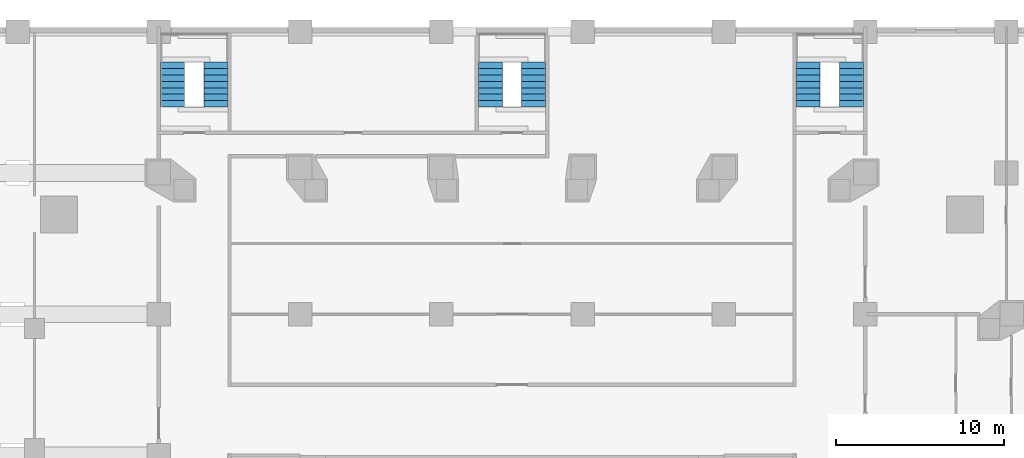
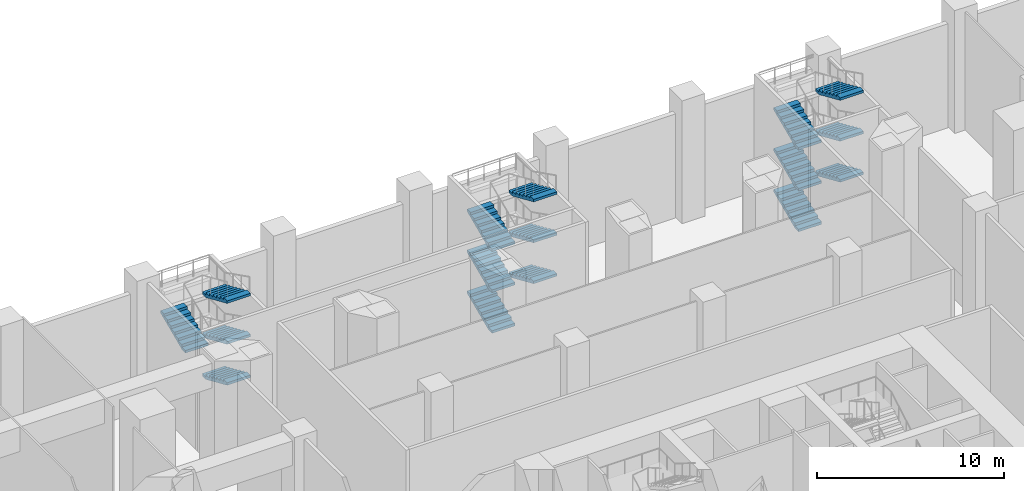
# One storey, part 12 of 19: 16 stair flights, 3 elements without a shape of their own.
"""IFC4 building model written with IfcOpenShell, lengths in metres."""

from ifc_helpers import new_model, si_unit, direction, frame, origin, place, context, subcontext, project, spatial, polyline, outline, extrude, material, type_object, element, aggregate, save


model = new_model("IFC4")

# Units and contexts
model_context = context("Model", 3, precision=1e-05, world=origin(), true_north=direction((0.0, 1.0)))
body_context = subcontext(model_context, "Body", "Model", "MODEL_VIEW")
ifc_project = project(units=[si_unit("LENGTHUNIT", "METRE"), si_unit("AREAUNIT", "SQUARE_METRE"), si_unit("VOLUMEUNIT", "CUBIC_METRE"), si_unit("PLANEANGLEUNIT", "RADIAN"), si_unit("MASSUNIT", "GRAM", prefix="KILO")], contexts=[model_context])

# Site, building, storey
site_placement = place(None, origin())
site = spatial("IfcSite", under=ifc_project, at=site_placement, CompositionType="ELEMENT")
building_placement = place(site_placement, origin())
building = spatial("IfcBuilding", under=site, at=building_placement, Name="Marenta Gate Hotel Tower", CompositionType="ELEMENT")
storey_placement = place(building_placement, frame((0.0, 0.0, 13.0)))
storey = spatial("IfcBuildingStorey", under=building, at=storey_placement, Name="L02", CompositionType="ELEMENT", Elevation=13.0)

# Stair, stair flights
ifc_material_1 = material(Name="Concrete C40", Category="concrete")
stair_type = type_object("IfcStairType", Name="Podium exit stair 1430 wide", PredefinedType="HALF_TURN_STAIR", material=ifc_material_1)
stair_1_placement = place(storey_placement, origin())
stair_1 = element("IfcStair", 1, at=stair_1_placement, inside=storey, type_object=stair_type, Name="Podium exit stair 3", PredefinedType="HALF_TURN_STAIR")
ifc_material_2 = material(Name="Concrete C40", Category="concrete")
stair_flight_type = type_object("IfcStairFlightType", Name="Podium stair flight 1430 riser 166.7 going 380", PredefinedType="STRAIGHT", material=ifc_material_2)
stair_flight_1_placement = place(storey_placement, frame((-17.614990234375, 40.18994140625, 1.333251953125), z_axis=(0.0, 0.0, 1.0), x_axis=(0.0, -1.0, 0.0)))
stair_flight_1 = element("IfcStairFlight", 2, at=stair_flight_1_placement, type_object=stair_flight_type, Name="PX3 flight 2", NumberOfRisers=8, NumberOfTreads=7, PredefinedType="STRAIGHT", RiserHeight=0.166667, TreadLength=0.38, context=body_context, shape_type="SweptSolid", body=[
    extrude(outline(polyline([(0.0, 0.0), (0.0, 0.166748046875), (0.3798828125, 0.166748046875), (0.3798828125, 0.333251953125), (0.760009765625, 0.333251953125), (0.760009765625, 0.5), (1.139892578125, 0.5), (1.139892578125, 0.666748046875), (1.52001953125, 0.666748046875), (1.52001953125, 0.833251953125), (1.89990234375, 0.833251953125), (1.89990234375, 1.0), (2.280029296875, 1.0), (2.280029296875, 1.166748046875), (2.659912109375, 1.166748046875), (2.659912109375, 1.333251953125), (2.659912109375, 1.0029296875), (0.373291015625, 0.0), (0.0, 0.0)])), frame((0.0, 0.71484375, 0.0), z_axis=(0.0, -1.0, 0.0), x_axis=(1.0, 0.0, 0.0)), (0.0, 0.0, 1.0), 1.429931640625),
])
stair_flight_2_placement = place(storey_placement, frame((-17.614990234375, 40.18994140625, 4.0), z_axis=(0.0, 0.0, 1.0), x_axis=(0.0, -1.0, 0.0)))
stair_flight_2 = element("IfcStairFlight", 3, at=stair_flight_2_placement, type_object=stair_flight_type, Name="PX3 flight 4", NumberOfRisers=8, NumberOfTreads=7, PredefinedType="STRAIGHT", RiserHeight=0.166667, TreadLength=0.38, context=body_context, shape_type="SweptSolid", body=[
    extrude(outline(polyline([(0.0, 0.0), (0.0, 0.166748046875), (0.3798828125, 0.166748046875), (0.3798828125, 0.333251953125), (0.760009765625, 0.333251953125), (0.760009765625, 0.5), (1.139892578125, 0.5), (1.139892578125, 0.666748046875), (1.52001953125, 0.666748046875), (1.52001953125, 0.833251953125), (1.89990234375, 0.833251953125), (1.89990234375, 1.0), (2.280029296875, 1.0), (2.280029296875, 1.166748046875), (2.659912109375, 1.166748046875), (2.659912109375, 1.333251953125), (2.659912109375, 1.0029296875), (0.373291015625, 0.0), (0.0, 0.0)])), frame((0.0, 0.71484375, 0.0), z_axis=(0.0, -1.0, 0.0), x_axis=(1.0, 0.0, 0.0)), (0.0, 0.0, 1.0), 1.429931640625),
])
stair_flight_3_placement = place(storey_placement, frame((-20.18505859375, 37.530029296875, 5.333251953125), z_axis=(0.0, 0.0, 1.0), x_axis=(0.0, 1.0, 0.0)))
stair_flight_3 = element("IfcStairFlight", 4, at=stair_flight_3_placement, type_object=stair_flight_type, Name="PX3 flight 5", NumberOfRisers=8, NumberOfTreads=7, PredefinedType="STRAIGHT", RiserHeight=0.166667, TreadLength=0.38, context=body_context, shape_type="SweptSolid", body=[
    extrude(outline(polyline([(0.0, 0.0), (0.0, 0.166748046875), (0.3798828125, 0.166748046875), (0.3798828125, 0.333251953125), (0.760009765625, 0.333251953125), (0.760009765625, 0.5), (1.139892578125, 0.5), (1.139892578125, 0.666748046875), (1.52001953125, 0.666748046875), (1.52001953125, 0.833251953125), (1.89990234375, 0.833251953125), (1.89990234375, 1.0), (2.280029296875, 1.0), (2.280029296875, 1.166748046875), (2.659912109375, 1.166748046875), (2.659912109375, 1.333251953125), (2.659912109375, 1.0029296875), (0.373291015625, 0.0), (0.0, 0.0)])), frame((0.0, 0.71484375, 0.0), z_axis=(0.0, -1.0, 0.0), x_axis=(1.0, 0.0, 0.0)), (0.0, 0.0, 1.0), 1.429931640625),
])
stair_flight_4_placement = place(storey_placement, frame((-17.614990234375, 40.18994140625, 6.666748046875), z_axis=(0.0, 0.0, 1.0), x_axis=(0.0, -1.0, 0.0)))
stair_flight_4 = element("IfcStairFlight", 5, at=stair_flight_4_placement, type_object=stair_flight_type, Name="PX3 flight 6", NumberOfRisers=8, NumberOfTreads=7, PredefinedType="STRAIGHT", RiserHeight=0.166667, TreadLength=0.38, context=body_context, shape_type="SweptSolid", body=[
    extrude(outline(polyline([(0.0, 0.0), (0.0, 0.166748046875), (0.3798828125, 0.166748046875), (0.3798828125, 0.333251953125), (0.760009765625, 0.333251953125), (0.760009765625, 0.5), (1.139892578125, 0.5), (1.139892578125, 0.666748046875), (1.52001953125, 0.666748046875), (1.52001953125, 0.833251953125), (1.89990234375, 0.833251953125), (1.89990234375, 1.0), (2.280029296875, 1.0), (2.280029296875, 1.166748046875), (2.659912109375, 1.166748046875), (2.659912109375, 1.333251953125), (2.659912109375, 1.0029296875), (0.373291015625, 0.0), (0.0, 0.0)])), frame((0.0, 0.71484375, 0.0), z_axis=(0.0, -1.0, 0.0), x_axis=(1.0, 0.0, 0.0)), (0.0, 0.0, 1.0), 1.429931640625),
])
aggregate(stair_1, [stair_flight_1, stair_flight_2, stair_flight_3, stair_flight_4])

stair_2_placement = place(storey_placement, origin())
stair_2 = element("IfcStair", 6, at=stair_2_placement, inside=storey, type_object=stair_type, Name="Podium exit stair 4", PredefinedType="HALF_TURN_STAIR")
stair_flight_5_placement = place(storey_placement, frame((17.614990234375, 37.530029296875, 0.0), z_axis=(0.0, 0.0, 1.0), x_axis=(0.0, 1.0, 0.0)))
stair_flight_5 = element("IfcStairFlight", 7, at=stair_flight_5_placement, type_object=stair_flight_type, Name="PX4 flight 1", NumberOfRisers=8, NumberOfTreads=7, PredefinedType="STRAIGHT", RiserHeight=0.166667, TreadLength=0.38, context=body_context, shape_type="SweptSolid", body=[
    extrude(outline(polyline([(0.0, 0.0), (0.0, 0.166748046875), (0.3798828125, 0.166748046875), (0.3798828125, 0.333251953125), (0.760009765625, 0.333251953125), (0.760009765625, 0.5), (1.139892578125, 0.5), (1.139892578125, 0.666748046875), (1.52001953125, 0.666748046875), (1.52001953125, 0.833251953125), (1.89990234375, 0.833251953125), (1.89990234375, 1.0), (2.280029296875, 1.0), (2.280029296875, 1.166748046875), (2.659912109375, 1.166748046875), (2.659912109375, 1.333251953125), (2.659912109375, 1.0029296875), (0.373291015625, 0.0), (0.0, 0.0)])), frame((0.0, 0.71484375, 0.0), z_axis=(0.0, -1.0, 0.0), x_axis=(1.0, 0.0, 0.0)), (0.0, 0.0, 1.0), 1.429931640625),
])
stair_flight_6_placement = place(storey_placement, frame((20.18505859375, 40.18994140625, 1.333251953125), z_axis=(0.0, 0.0, 1.0), x_axis=(0.0, -1.0, 0.0)))
stair_flight_6 = element("IfcStairFlight", 8, at=stair_flight_6_placement, type_object=stair_flight_type, Name="PX4 flight 2", NumberOfRisers=8, NumberOfTreads=7, PredefinedType="STRAIGHT", RiserHeight=0.166667, TreadLength=0.38, context=body_context, shape_type="SweptSolid", body=[
    extrude(outline(polyline([(0.0, 0.0), (0.0, 0.166748046875), (0.3798828125, 0.166748046875), (0.3798828125, 0.333251953125), (0.760009765625, 0.333251953125), (0.760009765625, 0.5), (1.139892578125, 0.5), (1.139892578125, 0.666748046875), (1.52001953125, 0.666748046875), (1.52001953125, 0.833251953125), (1.89990234375, 0.833251953125), (1.89990234375, 1.0), (2.280029296875, 1.0), (2.280029296875, 1.166748046875), (2.659912109375, 1.166748046875), (2.659912109375, 1.333251953125), (2.659912109375, 1.0029296875), (0.373291015625, 0.0), (0.0, 0.0)])), frame((0.0, 0.71484375, 0.0), z_axis=(0.0, -1.0, 0.0), x_axis=(1.0, 0.0, 0.0)), (0.0, 0.0, 1.0), 1.429931640625),
])
stair_flight_7_placement = place(storey_placement, frame((17.614990234375, 37.530029296875, 2.666748046875), z_axis=(0.0, 0.0, 1.0), x_axis=(0.0, 1.0, 0.0)))
stair_flight_7 = element("IfcStairFlight", 9, at=stair_flight_7_placement, type_object=stair_flight_type, Name="PX4 flight 3", NumberOfRisers=8, NumberOfTreads=7, PredefinedType="STRAIGHT", RiserHeight=0.166667, TreadLength=0.38, context=body_context, shape_type="SweptSolid", body=[
    extrude(outline(polyline([(0.0, 0.0), (0.0, 0.166748046875), (0.3798828125, 0.166748046875), (0.3798828125, 0.333251953125), (0.760009765625, 0.333251953125), (0.760009765625, 0.5), (1.139892578125, 0.5), (1.139892578125, 0.666748046875), (1.52001953125, 0.666748046875), (1.52001953125, 0.833251953125), (1.89990234375, 0.833251953125), (1.89990234375, 1.0), (2.280029296875, 1.0), (2.280029296875, 1.166748046875), (2.659912109375, 1.166748046875), (2.659912109375, 1.333251953125), (2.659912109375, 1.0029296875), (0.373291015625, 0.0), (0.0, 0.0)])), frame((0.0, 0.71484375, 0.0), z_axis=(0.0, -1.0, 0.0), x_axis=(1.0, 0.0, 0.0)), (0.0, 0.0, 1.0), 1.429931640625),
])
stair_flight_8_placement = place(storey_placement, frame((20.18505859375, 40.18994140625, 4.0), z_axis=(0.0, 0.0, 1.0), x_axis=(0.0, -1.0, 0.0)))
stair_flight_8 = element("IfcStairFlight", 10, at=stair_flight_8_placement, type_object=stair_flight_type, Name="PX4 flight 4", NumberOfRisers=8, NumberOfTreads=7, PredefinedType="STRAIGHT", RiserHeight=0.166667, TreadLength=0.38, context=body_context, shape_type="SweptSolid", body=[
    extrude(outline(polyline([(0.0, 0.0), (0.0, 0.166748046875), (0.3798828125, 0.166748046875), (0.3798828125, 0.333251953125), (0.760009765625, 0.333251953125), (0.760009765625, 0.5), (1.139892578125, 0.5), (1.139892578125, 0.666748046875), (1.52001953125, 0.666748046875), (1.52001953125, 0.833251953125), (1.89990234375, 0.833251953125), (1.89990234375, 1.0), (2.280029296875, 1.0), (2.280029296875, 1.166748046875), (2.659912109375, 1.166748046875), (2.659912109375, 1.333251953125), (2.659912109375, 1.0029296875), (0.373291015625, 0.0), (0.0, 0.0)])), frame((0.0, 0.71484375, 0.0), z_axis=(0.0, -1.0, 0.0), x_axis=(1.0, 0.0, 0.0)), (0.0, 0.0, 1.0), 1.429931640625),
])
stair_flight_9_placement = place(storey_placement, frame((17.614990234375, 37.530029296875, 5.333251953125), z_axis=(0.0, 0.0, 1.0), x_axis=(0.0, 1.0, 0.0)))
stair_flight_9 = element("IfcStairFlight", 11, at=stair_flight_9_placement, type_object=stair_flight_type, Name="PX4 flight 5", NumberOfRisers=8, NumberOfTreads=7, PredefinedType="STRAIGHT", RiserHeight=0.166667, TreadLength=0.38, context=body_context, shape_type="SweptSolid", body=[
    extrude(outline(polyline([(0.0, 0.0), (0.0, 0.166748046875), (0.3798828125, 0.166748046875), (0.3798828125, 0.333251953125), (0.760009765625, 0.333251953125), (0.760009765625, 0.5), (1.139892578125, 0.5), (1.139892578125, 0.666748046875), (1.52001953125, 0.666748046875), (1.52001953125, 0.833251953125), (1.89990234375, 0.833251953125), (1.89990234375, 1.0), (2.280029296875, 1.0), (2.280029296875, 1.166748046875), (2.659912109375, 1.166748046875), (2.659912109375, 1.333251953125), (2.659912109375, 1.0029296875), (0.373291015625, 0.0), (0.0, 0.0)])), frame((0.0, 0.71484375, 0.0), z_axis=(0.0, -1.0, 0.0), x_axis=(1.0, 0.0, 0.0)), (0.0, 0.0, 1.0), 1.429931640625),
])
stair_flight_10_placement = place(storey_placement, frame((20.18505859375, 40.18994140625, 6.666748046875), z_axis=(0.0, 0.0, 1.0), x_axis=(0.0, -1.0, 0.0)))
stair_flight_10 = element("IfcStairFlight", 12, at=stair_flight_10_placement, type_object=stair_flight_type, Name="PX4 flight 6", NumberOfRisers=8, NumberOfTreads=7, PredefinedType="STRAIGHT", RiserHeight=0.166667, TreadLength=0.38, context=body_context, shape_type="SweptSolid", body=[
    extrude(outline(polyline([(0.0, 0.0), (0.0, 0.166748046875), (0.3798828125, 0.166748046875), (0.3798828125, 0.333251953125), (0.760009765625, 0.333251953125), (0.760009765625, 0.5), (1.139892578125, 0.5), (1.139892578125, 0.666748046875), (1.52001953125, 0.666748046875), (1.52001953125, 0.833251953125), (1.89990234375, 0.833251953125), (1.89990234375, 1.0), (2.280029296875, 1.0), (2.280029296875, 1.166748046875), (2.659912109375, 1.166748046875), (2.659912109375, 1.333251953125), (2.659912109375, 1.0029296875), (0.373291015625, 0.0), (0.0, 0.0)])), frame((0.0, 0.71484375, 0.0), z_axis=(0.0, -1.0, 0.0), x_axis=(1.0, 0.0, 0.0)), (0.0, 0.0, 1.0), 1.429931640625),
])
aggregate(stair_2, [stair_flight_5, stair_flight_6, stair_flight_7, stair_flight_8, stair_flight_9, stair_flight_10])

stair_3_placement = place(storey_placement, origin())
stair_3 = element("IfcStair", 13, at=stair_3_placement, inside=storey, type_object=stair_type, Name="Podium exit stair 8", PredefinedType="HALF_TURN_STAIR")
stair_flight_11_placement = place(storey_placement, frame((-1.284912109375, 37.530029296875, 0.0), z_axis=(0.0, 0.0, 1.0), x_axis=(0.0, 1.0, 0.0)))
stair_flight_11 = element("IfcStairFlight", 14, at=stair_flight_11_placement, type_object=stair_flight_type, Name="PX8 flight 1", NumberOfRisers=8, NumberOfTreads=7, PredefinedType="STRAIGHT", RiserHeight=0.166667, TreadLength=0.38, context=body_context, shape_type="SweptSolid", body=[
    extrude(outline(polyline([(0.0, 0.0), (0.0, 0.166748046875), (0.3798828125, 0.166748046875), (0.3798828125, 0.333251953125), (0.760009765625, 0.333251953125), (0.760009765625, 0.5), (1.139892578125, 0.5), (1.139892578125, 0.666748046875), (1.52001953125, 0.666748046875), (1.52001953125, 0.833251953125), (1.89990234375, 0.833251953125), (1.89990234375, 1.0), (2.280029296875, 1.0), (2.280029296875, 1.166748046875), (2.659912109375, 1.166748046875), (2.659912109375, 1.333251953125), (2.659912109375, 1.0029296875), (0.373291015625, 0.0), (0.0, 0.0)])), frame((0.0, 0.71484375, 0.0), z_axis=(0.0, -1.0, 0.0), x_axis=(1.0, 0.0, 0.0)), (0.0, 0.0, 1.0), 1.429931640625),
])
stair_flight_12_placement = place(storey_placement, frame((1.284912109375, 40.18994140625, 1.333251953125), z_axis=(0.0, 0.0, 1.0), x_axis=(0.0, -1.0, 0.0)))
stair_flight_12 = element("IfcStairFlight", 15, at=stair_flight_12_placement, type_object=stair_flight_type, Name="PX8 flight 2", NumberOfRisers=8, NumberOfTreads=7, PredefinedType="STRAIGHT", RiserHeight=0.166667, TreadLength=0.38, context=body_context, shape_type="SweptSolid", body=[
    extrude(outline(polyline([(0.0, 0.0), (0.0, 0.166748046875), (0.3798828125, 0.166748046875), (0.3798828125, 0.333251953125), (0.760009765625, 0.333251953125), (0.760009765625, 0.5), (1.139892578125, 0.5), (1.139892578125, 0.666748046875), (1.52001953125, 0.666748046875), (1.52001953125, 0.833251953125), (1.89990234375, 0.833251953125), (1.89990234375, 1.0), (2.280029296875, 1.0), (2.280029296875, 1.166748046875), (2.659912109375, 1.166748046875), (2.659912109375, 1.333251953125), (2.659912109375, 1.0029296875), (0.373291015625, 0.0), (0.0, 0.0)])), frame((0.0, 0.71484375, 0.0), z_axis=(0.0, -1.0, 0.0), x_axis=(1.0, 0.0, 0.0)), (0.0, 0.0, 1.0), 1.429931640625),
])
stair_flight_13_placement = place(storey_placement, frame((-1.284912109375, 37.530029296875, 2.666748046875), z_axis=(0.0, 0.0, 1.0), x_axis=(0.0, 1.0, 0.0)))
stair_flight_13 = element("IfcStairFlight", 16, at=stair_flight_13_placement, type_object=stair_flight_type, Name="PX8 flight 3", NumberOfRisers=8, NumberOfTreads=7, PredefinedType="STRAIGHT", RiserHeight=0.166667, TreadLength=0.38, context=body_context, shape_type="SweptSolid", body=[
    extrude(outline(polyline([(0.0, 0.0), (0.0, 0.166748046875), (0.3798828125, 0.166748046875), (0.3798828125, 0.333251953125), (0.760009765625, 0.333251953125), (0.760009765625, 0.5), (1.139892578125, 0.5), (1.139892578125, 0.666748046875), (1.52001953125, 0.666748046875), (1.52001953125, 0.833251953125), (1.89990234375, 0.833251953125), (1.89990234375, 1.0), (2.280029296875, 1.0), (2.280029296875, 1.166748046875), (2.659912109375, 1.166748046875), (2.659912109375, 1.333251953125), (2.659912109375, 1.0029296875), (0.373291015625, 0.0), (0.0, 0.0)])), frame((0.0, 0.71484375, 0.0), z_axis=(0.0, -1.0, 0.0), x_axis=(1.0, 0.0, 0.0)), (0.0, 0.0, 1.0), 1.429931640625),
])
stair_flight_14_placement = place(storey_placement, frame((1.284912109375, 40.18994140625, 4.0), z_axis=(0.0, 0.0, 1.0), x_axis=(0.0, -1.0, 0.0)))
stair_flight_14 = element("IfcStairFlight", 17, at=stair_flight_14_placement, type_object=stair_flight_type, Name="PX8 flight 4", NumberOfRisers=8, NumberOfTreads=7, PredefinedType="STRAIGHT", RiserHeight=0.166667, TreadLength=0.38, context=body_context, shape_type="SweptSolid", body=[
    extrude(outline(polyline([(0.0, 0.0), (0.0, 0.166748046875), (0.3798828125, 0.166748046875), (0.3798828125, 0.333251953125), (0.760009765625, 0.333251953125), (0.760009765625, 0.5), (1.139892578125, 0.5), (1.139892578125, 0.666748046875), (1.52001953125, 0.666748046875), (1.52001953125, 0.833251953125), (1.89990234375, 0.833251953125), (1.89990234375, 1.0), (2.280029296875, 1.0), (2.280029296875, 1.166748046875), (2.659912109375, 1.166748046875), (2.659912109375, 1.333251953125), (2.659912109375, 1.0029296875), (0.373291015625, 0.0), (0.0, 0.0)])), frame((0.0, 0.71484375, 0.0), z_axis=(0.0, -1.0, 0.0), x_axis=(1.0, 0.0, 0.0)), (0.0, 0.0, 1.0), 1.429931640625),
])
stair_flight_15_placement = place(storey_placement, frame((-1.284912109375, 37.530029296875, 5.333251953125), z_axis=(0.0, 0.0, 1.0), x_axis=(0.0, 1.0, 0.0)))
stair_flight_15 = element("IfcStairFlight", 18, at=stair_flight_15_placement, type_object=stair_flight_type, Name="PX8 flight 5", NumberOfRisers=8, NumberOfTreads=7, PredefinedType="STRAIGHT", RiserHeight=0.166667, TreadLength=0.38, context=body_context, shape_type="SweptSolid", body=[
    extrude(outline(polyline([(0.0, 0.0), (0.0, 0.166748046875), (0.3798828125, 0.166748046875), (0.3798828125, 0.333251953125), (0.760009765625, 0.333251953125), (0.760009765625, 0.5), (1.139892578125, 0.5), (1.139892578125, 0.666748046875), (1.52001953125, 0.666748046875), (1.52001953125, 0.833251953125), (1.89990234375, 0.833251953125), (1.89990234375, 1.0), (2.280029296875, 1.0), (2.280029296875, 1.166748046875), (2.659912109375, 1.166748046875), (2.659912109375, 1.333251953125), (2.659912109375, 1.0029296875), (0.373291015625, 0.0), (0.0, 0.0)])), frame((0.0, 0.71484375, 0.0), z_axis=(0.0, -1.0, 0.0), x_axis=(1.0, 0.0, 0.0)), (0.0, 0.0, 1.0), 1.429931640625),
])
stair_flight_16_placement = place(storey_placement, frame((1.284912109375, 40.18994140625, 6.666748046875), z_axis=(0.0, 0.0, 1.0), x_axis=(0.0, -1.0, 0.0)))
stair_flight_16 = element("IfcStairFlight", 19, at=stair_flight_16_placement, type_object=stair_flight_type, Name="PX8 flight 6", NumberOfRisers=8, NumberOfTreads=7, PredefinedType="STRAIGHT", RiserHeight=0.166667, TreadLength=0.38, context=body_context, shape_type="SweptSolid", body=[
    extrude(outline(polyline([(0.0, 0.0), (0.0, 0.166748046875), (0.3798828125, 0.166748046875), (0.3798828125, 0.333251953125), (0.760009765625, 0.333251953125), (0.760009765625, 0.5), (1.139892578125, 0.5), (1.139892578125, 0.666748046875), (1.52001953125, 0.666748046875), (1.52001953125, 0.833251953125), (1.89990234375, 0.833251953125), (1.89990234375, 1.0), (2.280029296875, 1.0), (2.280029296875, 1.166748046875), (2.659912109375, 1.166748046875), (2.659912109375, 1.333251953125), (2.659912109375, 1.0029296875), (0.373291015625, 0.0), (0.0, 0.0)])), frame((0.0, 0.71484375, 0.0), z_axis=(0.0, -1.0, 0.0), x_axis=(1.0, 0.0, 0.0)), (0.0, 0.0, 1.0), 1.429931640625),
])
aggregate(stair_3, [stair_flight_11, stair_flight_12, stair_flight_13, stair_flight_14, stair_flight_15, stair_flight_16])

save(model, "model.ifc")
